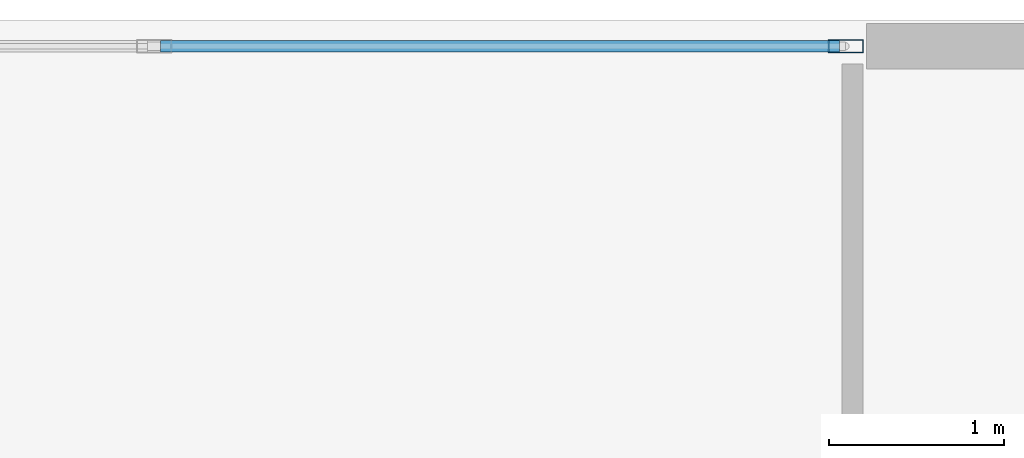
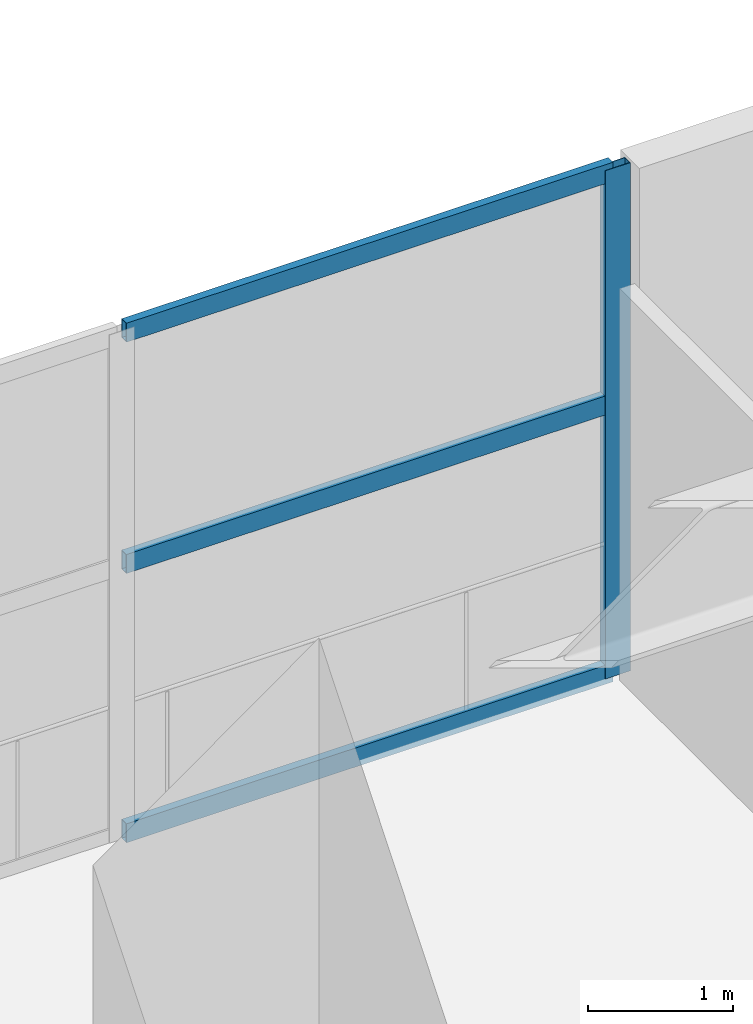
# One storey, part 13 of 25: 4 members, 1 element without a shape of its own.
"""IFC4 building model written with IfcOpenShell, lengths in metres."""

from ifc_helpers import new_model, si_unit, direction, frame, origin, origin_2d, place, context, subcontext, project, spatial, hollow_rectangle, extrude, material, layer, layer_set, material_profile, profile_set, type_object, element, aggregate, save


model = new_model("IFC4")

# Units and contexts
model_context = context("Model", 3, precision=1e-05, world=origin(), true_north=direction((0.0, 1.0)))
body_context = subcontext(model_context, "Body", "Model", "MODEL_VIEW")
ifc_project = project(units=[si_unit("LENGTHUNIT", "METRE"), si_unit("AREAUNIT", "SQUARE_METRE"), si_unit("VOLUMEUNIT", "CUBIC_METRE"), si_unit("PLANEANGLEUNIT", "RADIAN"), si_unit("MASSUNIT", "GRAM", prefix="KILO")], contexts=[model_context])

# Site, building, storey
site_placement = place(None, origin())
site = spatial("IfcSite", under=ifc_project, at=site_placement, CompositionType="ELEMENT")
building_placement = place(site_placement, origin())
building = spatial("IfcBuilding", under=site, at=building_placement, Name="Solvane Sanctuary Tower", CompositionType="ELEMENT")
storey_placement = place(building_placement, frame((0.0, 0.0, 13.800048828125)))
storey = spatial("IfcBuildingStorey", under=building, at=storey_placement, Name="L04", CompositionType="ELEMENT", Elevation=13.800048828125)

# Curtain wall, members
ifc_material = material(Name="Anodised Aluminium 6063-T6", Category="aluminium")
ifc_layer = layer(ifc_material, 0.159912109375, Name="Anodised Aluminium 6063-T6")
ifc_layer_set = layer_set([ifc_layer], Name="Anodised Aluminium 6063-T6")
curtain_wall_type = type_object("IfcCurtainWallType", Name="Curtain Wall CW-POD", PredefinedType="NOTDEFINED", material=ifc_layer_set)
curtain_wall_placement = place(storey_placement, origin())
curtain_wall = element("IfcCurtainWall", 1, at=curtain_wall_placement, inside=storey, type_object=curtain_wall_type, Name="L04 Sanctuary Curtain Wall N2", PredefinedType="NOTDEFINED")
ifc_material_profile_1 = material_profile(ifc_material, hollow_rectangle(XDim=0.074951171875, YDim=0.199951171875, WallThickness=0.00390625, at=origin_2d()), Name="ALU200X75X4")
ifc_profile_set_1 = profile_set([ifc_material_profile_1], Name="Anodised Aluminium 6063-T6")
member_type_1 = type_object("IfcMemberType", Name="Member M-CW-MUL-1 ALU200X75X4", PredefinedType="MULLION", material=ifc_profile_set_1)
member_1_placement = place(storey_placement, frame((43.96240234375, 45.85009765625, 0.0), z_axis=(0.0, 0.0, 1.0), x_axis=(0.0, -1.0, 0.0)))
member_1 = element("IfcMember", 2, at=member_1_placement, type_object=member_type_1, Name="CW-POD mullion 1", PredefinedType="MULLION", context=body_context, shape_type="SweptSolid", body=[
    extrude(hollow_rectangle(XDim=0.074951171875, YDim=0.199951171875, WallThickness=0.00390625, at=origin_2d()), origin(), (0.0, 0.0, 1.0), 4.280029296875),
])
ifc_material_profile_2 = material_profile(ifc_material, hollow_rectangle(XDim=0.06494140625, YDim=0.159912109375, WallThickness=0.00341796875, at=origin_2d()), Name="ALU160X65X3.5")
ifc_profile_set_2 = profile_set([ifc_material_profile_2], Name="Anodised Aluminium 6063-T6")
member_type_2 = type_object("IfcMemberType", Name="Member M-CW-TRN-1 ALU160X65X3.5", PredefinedType="USERDEFINED", material=ifc_profile_set_2)
member_2_placement = place(storey_placement, frame((43.925048828125, 45.85009765625, 0.032470703125), z_axis=(-1.0, 0.0, 0.0), x_axis=(0.0, -1.0, 0.0)))
member_2 = element("IfcMember", 3, at=member_2_placement, type_object=member_type_2, Name="CW-POD transom 1.1", ObjectType="TRANSOM", PredefinedType="USERDEFINED", context=body_context, shape_type="SweptSolid", body=[
    extrude(hollow_rectangle(XDim=0.06494140625, YDim=0.159912109375, WallThickness=0.00341796875, at=origin_2d()), origin(), (0.0, 0.0, 1.0), 3.874267578125),
])
member_3_placement = place(storey_placement, frame((43.925048828125, 45.85009765625, 2.300048828125), z_axis=(-1.0, 0.0, 0.0), x_axis=(0.0, -1.0, 0.0)))
member_3 = element("IfcMember", 4, at=member_3_placement, type_object=member_type_2, Name="CW-POD transom 1.2", ObjectType="TRANSOM", PredefinedType="USERDEFINED", context=body_context, shape_type="SweptSolid", body=[
    extrude(hollow_rectangle(XDim=0.06494140625, YDim=0.159912109375, WallThickness=0.00341796875, at=origin_2d()), origin(), (0.0, 0.0, 1.0), 3.874267578125),
])
member_4_placement = place(storey_placement, frame((43.925048828125, 45.85009765625, 4.24755859375), z_axis=(-1.0, 0.0, 0.0), x_axis=(0.0, -1.0, 0.0)))
member_4 = element("IfcMember", 5, at=member_4_placement, type_object=member_type_2, Name="CW-POD transom 1.3", ObjectType="TRANSOM", PredefinedType="USERDEFINED", context=body_context, shape_type="SweptSolid", body=[
    extrude(hollow_rectangle(XDim=0.06494140625, YDim=0.159912109375, WallThickness=0.00341796875, at=origin_2d()), origin(), (0.0, 0.0, 1.0), 3.874267578125),
])
aggregate(curtain_wall, [member_1, member_2, member_3, member_4])

save(model, "model.ifc")
